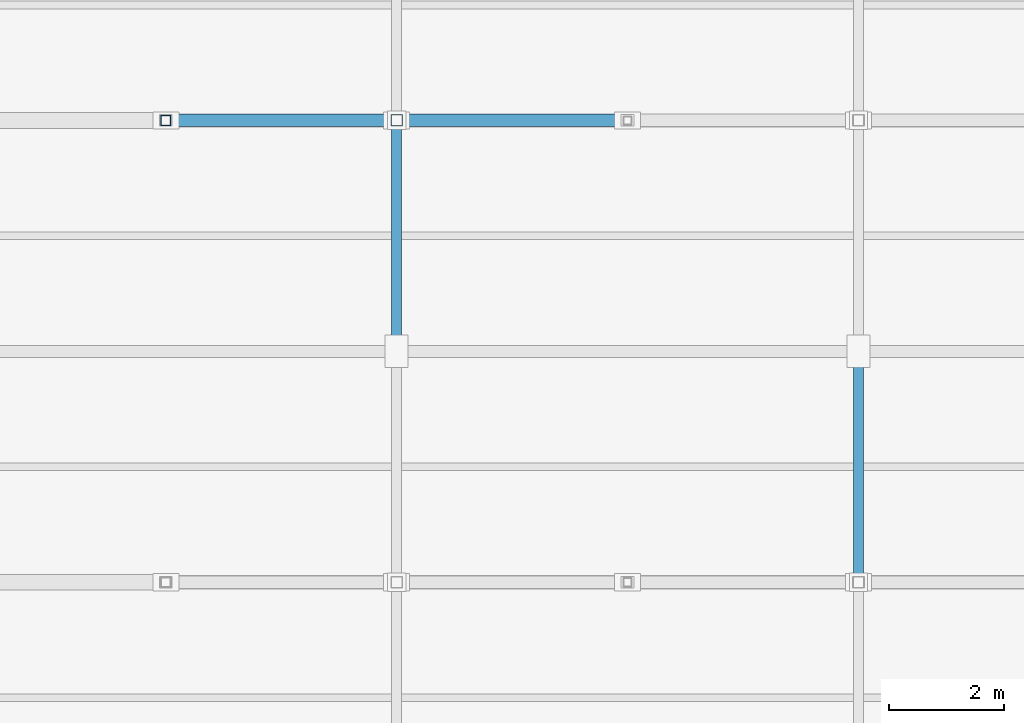
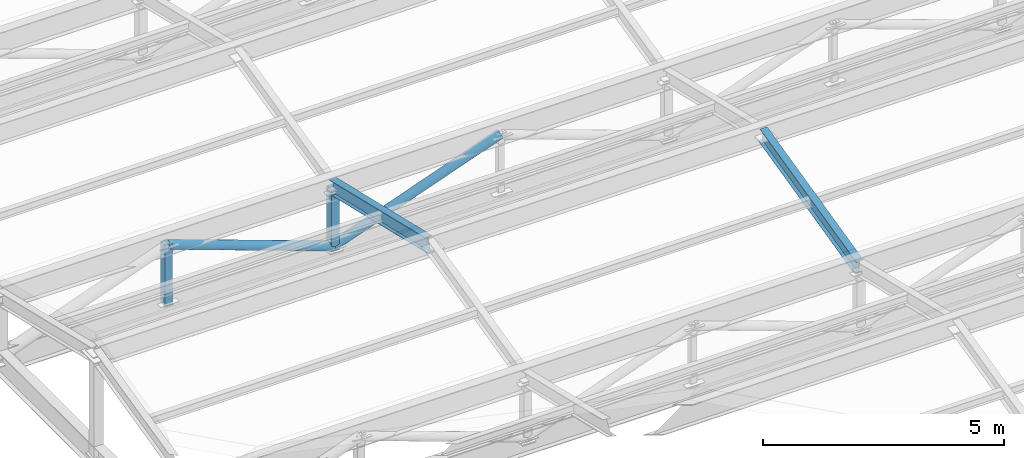
# One storey, part 46 of 112: 6 members.
"""IFC4 building model written with IfcOpenShell, lengths in metres."""

from ifc_helpers import new_model, si_unit, direction, frame, origin, origin_2d, place, context, subcontext, project, spatial, hollow_rectangle, hollow_circle, i_section, extrude, material, material_profile, profile_set, type_object, element, save


model = new_model("IFC4")

# Units and contexts
model_context = context("Model", 3, precision=1e-05, world=origin(), true_north=direction((0.0, 1.0)))
body_context = subcontext(model_context, "Body", "Model", "MODEL_VIEW")
ifc_project = project(units=[si_unit("LENGTHUNIT", "METRE"), si_unit("AREAUNIT", "SQUARE_METRE"), si_unit("VOLUMEUNIT", "CUBIC_METRE"), si_unit("PLANEANGLEUNIT", "RADIAN"), si_unit("MASSUNIT", "GRAM", prefix="KILO")], contexts=[model_context])

# Site, building, storey
site_placement = place(None, origin())
site = spatial("IfcSite", under=ifc_project, at=site_placement, CompositionType="ELEMENT")
building_placement = place(site_placement, origin())
building = spatial("IfcBuilding", under=site, at=building_placement, Name="Celadon Cloister-Ring School", CompositionType="ELEMENT")
storey_placement = place(building_placement, frame((0.0, 0.0, 8.5)))
storey = spatial("IfcBuildingStorey", under=building, at=storey_placement, Name="L02", CompositionType="ELEMENT", Elevation=8.5)

# Members
ifc_material_1 = material(Name="Structural steel S355JR", Category="steel")
ifc_material_profile_1 = material_profile(ifc_material_1, hollow_rectangle(XDim=0.199951171875, YDim=0.199951171875, WallThickness=0.010009765625, at=origin_2d()), Name="HSS200X200X10")
ifc_profile_set_1 = profile_set([ifc_material_profile_1], Name="Structural steel S355JR")
member_type_1 = type_object("IfcMemberType", Name="MB-03", PredefinedType="BRACE", material=ifc_profile_set_1)
member_1_placement = place(storey_placement, frame((150.0, 90.0, 0.919921875), z_axis=(0.0, 0.0, 1.0), x_axis=(1.0, 0.0, 0.0)))
element("IfcMember", 1, at=member_1_placement, inside=storey, type_object=member_type_1, Name="Structural Member 0437", PredefinedType="BRACE", context=body_context, shape_type="SweptSolid", body=[
    extrude(hollow_rectangle(XDim=0.199951171875, YDim=0.199951171875, WallThickness=0.010009765625, at=origin_2d()), origin(), (0.0, 0.0, 1.0), 1.56005859375),
])
ifc_material_2 = material(Name="Structural steel S355JR", Category="steel")
ifc_material_profile_2 = material_profile(ifc_material_2, hollow_rectangle(XDim=0.179931640625, YDim=0.179931640625, WallThickness=0.008056640625, at=origin_2d()), Name="HSS180X180X8")
ifc_profile_set_2 = profile_set([ifc_material_profile_2], Name="Structural steel S355JR")
member_type_2 = type_object("IfcMemberType", Name="MB-04", PredefinedType="BRACE", material=ifc_profile_set_2)
member_2_placement = place(storey_placement, frame((146.0, 90.0, 0.919921875), z_axis=(0.0, 0.0, 1.0), x_axis=(1.0, 0.0, 0.0)))
element("IfcMember", 2, at=member_2_placement, inside=storey, type_object=member_type_2, Name="Structural Member 0435", PredefinedType="BRACE", context=body_context, shape_type="SweptSolid", body=[
    extrude(hollow_rectangle(XDim=0.179931640625, YDim=0.179931640625, WallThickness=0.008056640625, at=origin_2d()), origin(), (0.0, 0.0, 1.0), 1.56005859375),
])
ifc_material_3 = material(Name="Structural steel S355JR", Category="steel")
ifc_material_profile_3 = material_profile(ifc_material_3, hollow_circle(Radius=0.109619140625, WallThickness=0.010009765625, at=origin_2d()), Name="CHS219.1X10")
ifc_profile_set_3 = profile_set([ifc_material_profile_3], Name="Structural steel S355JR")
member_type_3 = type_object("IfcMemberType", Name="MB-08", PredefinedType="BRACE", material=ifc_profile_set_3)
for number, where, z_axis, x_axis, name in (
    (3, (146.0, 90.0, 2.419921875), (0.94089180426, 0.0, -0.338707266939), (0.0, 1.0, 0.0), "Structural Member 0443"),
    (4, (150.0, 90.0, 0.97998046875), (0.94089180426, 0.0, 0.338707266939), (0.0, 1.0, 0.0), "Structural Member 0444"),
):
    element("IfcMember", number, at=place(storey_placement, frame(where, z_axis=z_axis, x_axis=x_axis)), inside=storey, type_object=member_type_3, Name=name, PredefinedType="BRACE", context=body_context, shape_type="SweptSolid", body=[
        extrude(hollow_circle(Radius=0.109619140625, WallThickness=0.010009765625, at=origin_2d()), origin(), (0.0, 0.0, 1.0), 4.251220703125),
    ])
ifc_material_4 = material(Name="Structural steel S355JR", Category="steel")
ifc_material_profile_4 = material_profile(ifc_material_4, i_section(OverallWidth=0.1708984375, OverallDepth=0.35498046875, WebThickness=0.007080078125, FlangeThickness=0.01171875, at=origin_2d()), Name="W360X51")
ifc_profile_set_4 = profile_set([ifc_material_profile_4], Name="Structural steel S355JR")
member_type_4 = type_object("IfcMemberType", Name="MR-05", PredefinedType="RAFTER", material=ifc_profile_set_4)
for number, where, z_axis, x_axis, name in (
    (5, (150.0, 86.0, 3.449951171875), (0.0, 0.97293922076, -0.231061188231), (-1.0, 0.0, 0.0), "Structural Member 0528"),
    (6, (158.0, 82.0, 2.5), (0.0, 0.97293922076, 0.231061188231), (-1.0, 0.0, 0.0), "Structural Member 0529"),
):
    element("IfcMember", number, at=place(storey_placement, frame(where, z_axis=z_axis, x_axis=x_axis)), inside=storey, type_object=member_type_4, Name=name, PredefinedType="RAFTER", context=body_context, shape_type="SweptSolid", body=[
        extrude(i_section(OverallWidth=0.1708984375, OverallDepth=0.35498046875, WebThickness=0.007080078125, FlangeThickness=0.01171875, at=origin_2d()), origin(), (0.0, 0.0, 1.0), 4.111328125),
    ])

save(model, "model.ifc")
